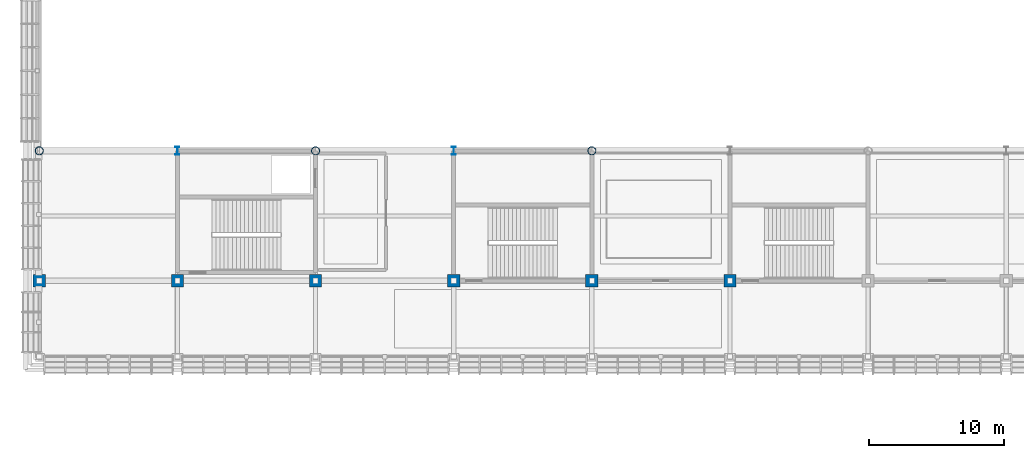
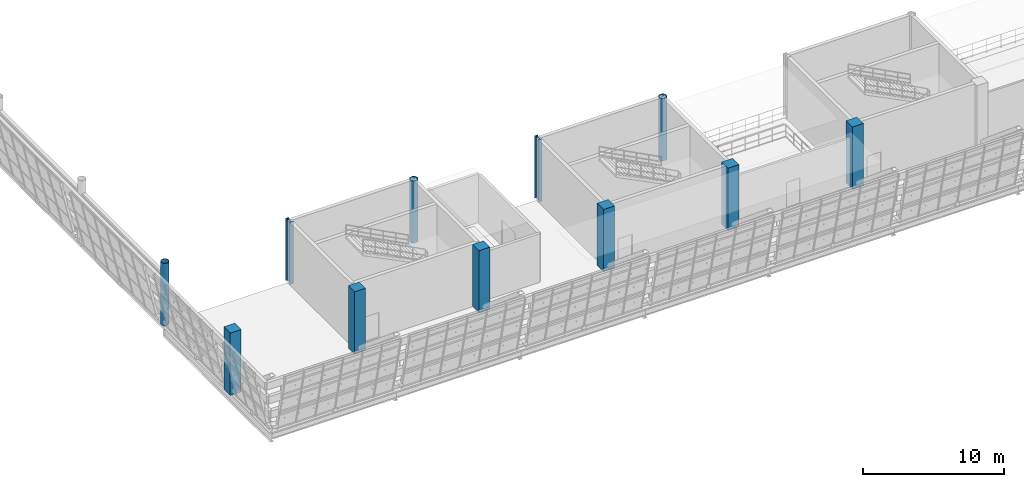
# One storey, part 1 of 175: 11 columns.
"""IFC4 building model written with IfcOpenShell, lengths in metres."""

from ifc_helpers import new_model, si_unit, direction, frame, origin, origin_2d, place, context, subcontext, project, spatial, rectangle, hollow_circle, i_section, extrude, material, material_profile, profile_set, type_object, element, save


model = new_model("IFC4")

# Units and contexts
model_context = context("Model", 3, precision=1e-05, world=origin(), true_north=direction((0.0, 1.0)))
body_context = subcontext(model_context, "Body", "Model", "MODEL_VIEW")
ifc_project = project(units=[si_unit("LENGTHUNIT", "METRE"), si_unit("AREAUNIT", "SQUARE_METRE"), si_unit("VOLUMEUNIT", "CUBIC_METRE"), si_unit("PLANEANGLEUNIT", "RADIAN"), si_unit("MASSUNIT", "GRAM", prefix="KILO")], contexts=[model_context])

# Site, building, storey
site_placement = place(None, origin())
site = spatial("IfcSite", under=ifc_project, at=site_placement, CompositionType="ELEMENT")
building_placement = place(site_placement, origin())
building = spatial("IfcBuilding", under=site, at=building_placement, Name="Brelvane Convention Centre", CompositionType="ELEMENT")
storey_placement = place(building_placement, frame((0.0, 0.0, 5.39990234375)))
storey = spatial("IfcBuildingStorey", under=building, at=storey_placement, Name="L01", CompositionType="ELEMENT", Elevation=5.39990234375)

# Columns
ifc_material_1 = material(Name="Concrete M50", Category="concrete")
ifc_material_profile_1 = material_profile(ifc_material_1, rectangle(XDim=0.89990234375, YDim=0.89990234375, at=origin_2d()), Name="RC 900x900")
ifc_profile_set_1 = profile_set([ifc_material_profile_1], Name="Concrete M50")
column_type_1 = type_object("IfcColumnType", Name="RC Column C-RC2 (RC 900x900)", PredefinedType="COLUMN", material=ifc_profile_set_1)
for number, where, z_axis, x_axis, name in (
    (1, (0.0, 19.199951171875, 0.0), (0.0, 0.0, 1.0), (1.0, 0.0, 0.0), "Column 1-C (L01)"),
    (2, (10.199951171875, 19.199951171875, 0.0), (0.0, 0.0, 1.0), (1.0, 0.0, 0.0), "Column 2-C (L01)"),
    (3, (20.39990234375, 19.199951171875, 0.0), (0.0, 0.0, 1.0), (1.0, 0.0, 0.0), "Column 3-C (L01)"),
    (4, (30.60009765625, 19.199951171875, 0.0), (0.0, 0.0, 1.0), (1.0, 0.0, 0.0), "Column 4-C (L01)"),
    (5, (40.800048828125, 19.199951171875, 0.0), (0.0, 0.0, 1.0), (1.0, 0.0, 0.0), "Column 5-C (L01)"),
    (6, (51.0, 19.199951171875, 0.0), (0.0, 0.0, 1.0), (1.0, 0.0, 0.0), "Column 6-C (L01)"),
):
    element("IfcColumn", number, at=place(storey_placement, frame(where, z_axis=z_axis, x_axis=x_axis)), inside=storey, type_object=column_type_1, Name=name, PredefinedType="COLUMN", context=body_context, shape_type="SweptSolid", body=[
        extrude(rectangle(XDim=0.89990234375, YDim=0.89990234375, at=origin_2d()), origin(), (0.0, 0.0, 1.0), 5.400146484375),
    ])
ifc_material_2 = material(Name="Steel E450 (450 MPa)", Category="steel")
ifc_material_profile_2 = material_profile(ifc_material_2, hollow_circle(Radius=0.304931640625, WallThickness=0.02490234375, at=origin_2d()), Name="CHS 610.0x25.0")
ifc_profile_set_2 = profile_set([ifc_material_profile_2], Name="Steel E450 (450 MPa)")
column_type_2 = type_object("IfcColumnType", Name="Steel Column C-ST1 (CHS 610.0x25.0)", PredefinedType="COLUMN", material=ifc_profile_set_2)
for number, where, z_axis, x_axis, name in (
    (7, (0.0, 28.800048828125, 0.0), (0.0, 0.0, 1.0), (1.0, 0.0, 0.0), "Column 1-D (L01)"),
    (8, (20.39990234375, 28.800048828125, 0.0), (0.0, 0.0, 1.0), (1.0, 0.0, 0.0), "Column 3-D (L01)"),
    (9, (40.800048828125, 28.800048828125, 0.0), (0.0, 0.0, 1.0), (1.0, 0.0, 0.0), "Column 5-D (L01)"),
):
    element("IfcColumn", number, at=place(storey_placement, frame(where, z_axis=z_axis, x_axis=x_axis)), inside=storey, type_object=column_type_2, Name=name, PredefinedType="COLUMN", context=body_context, shape_type="SweptSolid", body=[
        extrude(hollow_circle(Radius=0.304931640625, WallThickness=0.02490234375, at=origin_2d()), origin(), (0.0, 0.0, 1.0), 5.400146484375),
    ])
ifc_material_3 = material(Name="Steel E450 (450 MPa)", Category="steel")
ifc_material_profile_3 = material_profile(ifc_material_3, i_section(OverallWidth=0.300048828125, OverallDepth=0.60009765625, WebThickness=0.015380859375, FlangeThickness=0.030029296875, FilletRadius=0.027099609375, at=origin_2d()), Name="WPB 600x300")
ifc_profile_set_3 = profile_set([ifc_material_profile_3], Name="Steel E450 (450 MPa)")
column_type_3 = type_object("IfcColumnType", Name="Steel Column C-ST5 (WPB 600x300)", PredefinedType="COLUMN", material=ifc_profile_set_3)
for number, where, z_axis, x_axis, name in (
    (10, (10.199951171875, 28.800048828125, 0.0), (0.0, 0.0, 1.0), (1.0, 0.0, 0.0), "Column 2-D (L01)"),
    (11, (30.60009765625, 28.800048828125, 0.0), (0.0, 0.0, 1.0), (1.0, 0.0, 0.0), "Column 4-D (L01)"),
):
    element("IfcColumn", number, at=place(storey_placement, frame(where, z_axis=z_axis, x_axis=x_axis)), inside=storey, type_object=column_type_3, Name=name, PredefinedType="COLUMN", context=body_context, shape_type="SweptSolid", body=[
        extrude(i_section(OverallWidth=0.300048828125, OverallDepth=0.60009765625, WebThickness=0.015380859375, FlangeThickness=0.030029296875, FilletRadius=0.027099609375, at=origin_2d()), origin(), (0.0, 0.0, 1.0), 5.400146484375),
    ])

save(model, "model.ifc")
